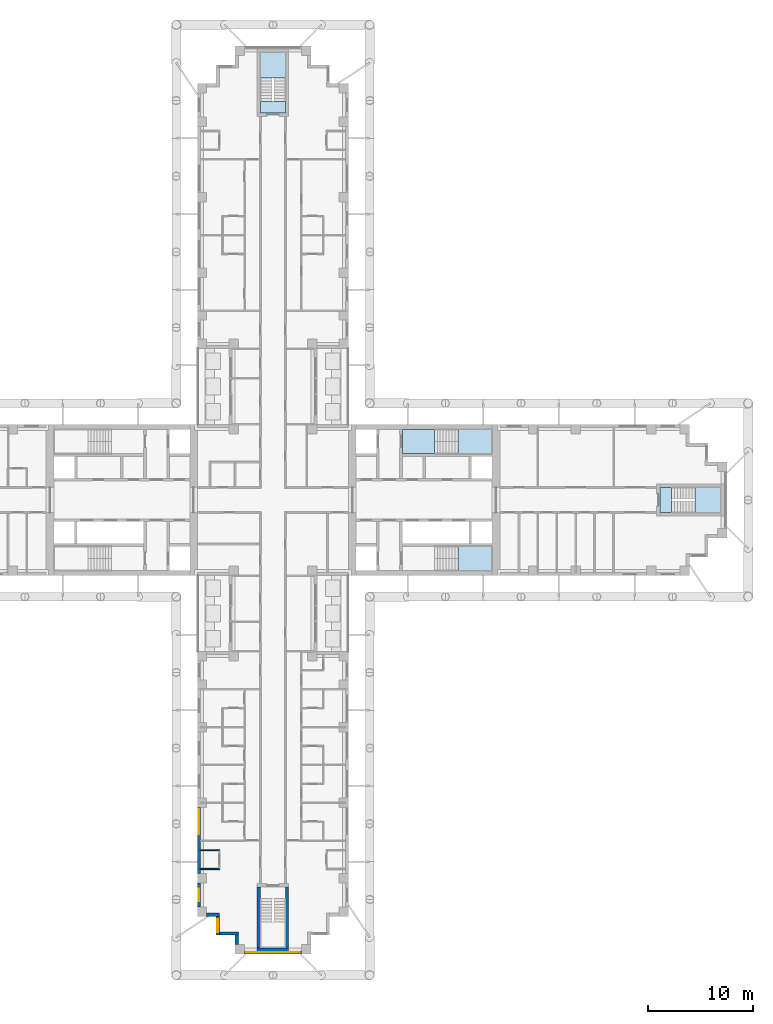
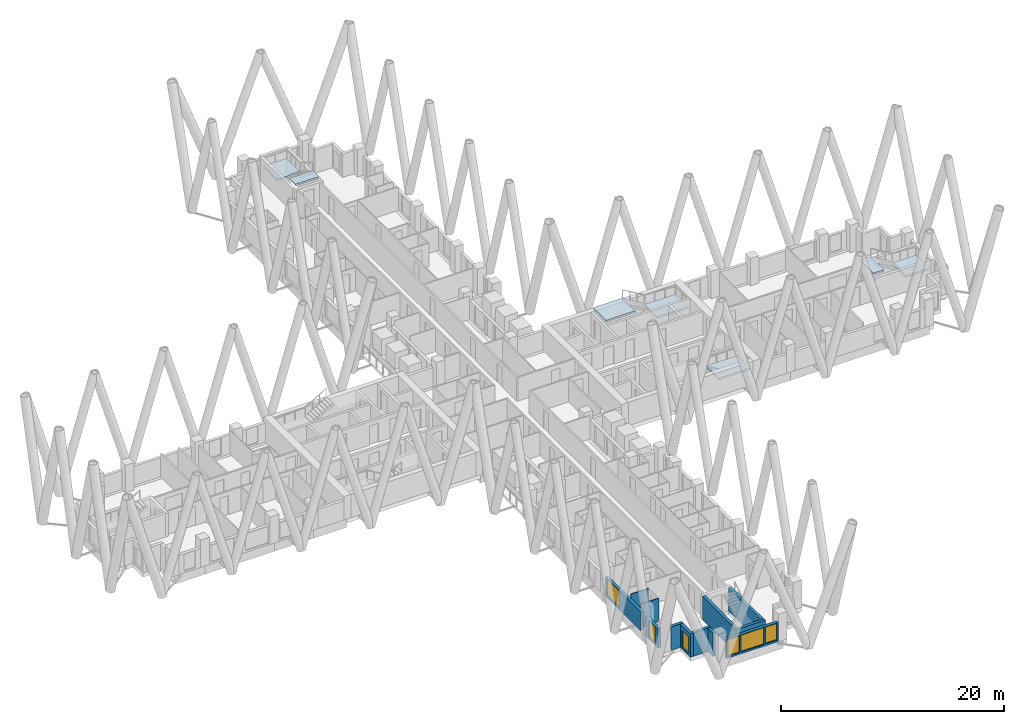
# One storey, part 3 of 16: 12 walls, 7 slabs, 6 windows, 6 openings, 4 elements without a shape of their own.
"""IFC4 building model written with IfcOpenShell, lengths in metres."""

from ifc_helpers import new_model, si_unit, direction, frame, frame_2d, origin, place, context, subcontext, project, spatial, polyline, rectangle, outline, extrude, material, layer, layer_set, type_object, element, fill, aggregate, save


model = new_model("IFC4")

# Units and contexts
model_context = context("Model", 3, precision=1e-05, world=origin(), true_north=direction((0.0, 1.0)))
body_context = subcontext(model_context, "Body", "Model", "MODEL_VIEW")
ifc_project = project(units=[si_unit("LENGTHUNIT", "METRE"), si_unit("AREAUNIT", "SQUARE_METRE"), si_unit("VOLUMEUNIT", "CUBIC_METRE"), si_unit("PLANEANGLEUNIT", "RADIAN"), si_unit("MASSUNIT", "GRAM", prefix="KILO")], contexts=[model_context])

# Site, building, storey
site_placement = place(None, origin())
site = spatial("IfcSite", under=ifc_project, at=site_placement, CompositionType="ELEMENT")
building_placement = place(site_placement, origin())
building = spatial("IfcBuilding", under=site, at=building_placement, Name="Fustian Cross Tower", CompositionType="ELEMENT")
storey_placement = place(building_placement, frame((0.0, 0.0, 20.699951171875)))
storey = spatial("IfcBuildingStorey", under=building, at=storey_placement, Name="L05", CompositionType="ELEMENT", Elevation=20.699951171875)

# Stair, slabs
ifc_material_1 = material(Name="Concrete C50/60", Category="concrete")
stair_type_1 = type_object("IfcStairType", Name="STAIR 1150 HALF TURN", PredefinedType="HALF_TURN_STAIR", material=ifc_material_1)
stair_1_placement = place(storey_placement, origin())
stair_1 = element("IfcStair", 1, at=stair_1_placement, inside=storey, type_object=stair_type_1, Name="Stair ST1", PredefinedType="HALF_TURN_STAIR")
ifc_material_2 = material(Name="Concrete C50/60", Category="concrete")
ifc_layer_1 = layer(ifc_material_2, 0.199951171875)
ifc_layer_set_1 = layer_set([ifc_layer_1], Name="Concrete C50/60")
slab_type = type_object("IfcSlabType", Name="STAIR LANDING", PredefinedType="LANDING", material=ifc_layer_set_1)
slab_1_placement = place(storey_placement, frame((0.0, 0.0, 1.300048828125)))
slab_1 = element("IfcSlab", 2, at=slab_1_placement, type_object=slab_type, Name="ST1 landing 1", PredefinedType="LANDING", context=body_context, shape_type="SweptSolid", body=[
    extrude(outline(polyline([(17.590087890625, 4.39990234375), (20.85009765625, 4.39990234375), (20.85009765625, 6.699951171875), (17.590087890625, 6.699951171875), (17.590087890625, 4.39990234375)])), origin(), (0.0, 0.0, 1.0), 0.199951171875),
])
slab_2_placement = place(storey_placement, frame((0.0, 0.0, 2.800048828125)))
slab_2 = element("IfcSlab", 3, at=slab_2_placement, type_object=slab_type, Name="ST1 landing 2", PredefinedType="LANDING", context=body_context, shape_type="SweptSolid", body=[
    extrude(outline(polyline([(12.300048828125, 4.39990234375), (15.35009765625, 4.39990234375), (15.35009765625, 6.699951171875), (12.300048828125, 6.699951171875), (12.300048828125, 4.39990234375)])), origin(), (0.0, 0.0, 1.0), 0.199951171875),
])
aggregate(stair_1, [slab_1, slab_2])

# Stair, slab
stair_2_placement = place(storey_placement, origin())
stair_2 = element("IfcStair", 4, at=stair_2_placement, inside=storey, type_object=stair_type_1, Name="Stair ST2", PredefinedType="HALF_TURN_STAIR")
slab_3_placement = place(storey_placement, frame((0.0, 0.0, 1.300048828125)))
slab_3 = element("IfcSlab", 5, at=slab_3_placement, type_object=slab_type, Name="ST2 landing 1", PredefinedType="LANDING", context=body_context, shape_type="SweptSolid", body=[
    extrude(outline(polyline([(17.590087890625, -4.39990234375), (20.85009765625, -4.39990234375), (20.85009765625, -6.699951171875), (17.590087890625, -6.699951171875), (17.590087890625, -4.39990234375)])), origin(), (0.0, 0.0, 1.0), 0.199951171875),
])
aggregate(stair_2, [slab_3])

# Stair, slabs
ifc_material_3 = material(Name="Concrete C50/60", Category="concrete")
stair_type_2 = type_object("IfcStairType", Name="STAIR 1100 HALF TURN", PredefinedType="HALF_TURN_STAIR", material=ifc_material_3)
stair_3_placement = place(storey_placement, origin())
stair_3 = element("IfcStair", 6, at=stair_3_placement, inside=storey, type_object=stair_type_2, Name="Stair ST5", PredefinedType="HALF_TURN_STAIR")
slab_4_placement = place(storey_placement, frame((0.0, 0.0, 1.300048828125)))
slab_4 = element("IfcSlab", 7, at=slab_4_placement, type_object=slab_type, Name="ST5 landing 1", PredefinedType="LANDING", context=body_context, shape_type="SweptSolid", body=[
    extrude(outline(polyline([(-1.199951171875, 40.139892578125), (-1.199951171875, 42.60009765625), (1.199951171875, 42.60009765625), (1.199951171875, 40.139892578125), (-1.199951171875, 40.139892578125)])), origin(), (0.0, 0.0, 1.0), 0.199951171875),
])
slab_5_placement = place(storey_placement, frame((0.0, 0.0, 2.800048828125)))
slab_5 = element("IfcSlab", 8, at=slab_5_placement, type_object=slab_type, Name="ST5 landing 2", PredefinedType="LANDING", context=body_context, shape_type="SweptSolid", body=[
    extrude(outline(polyline([(-1.199951171875, 36.800048828125), (-1.199951171875, 37.89990234375), (1.199951171875, 37.89990234375), (1.199951171875, 36.800048828125), (-1.199951171875, 36.800048828125)])), origin(), (0.0, 0.0, 1.0), 0.199951171875),
])
aggregate(stair_3, [slab_4, slab_5])

stair_4_placement = place(storey_placement, origin())
stair_4 = element("IfcStair", 9, at=stair_4_placement, inside=storey, type_object=stair_type_2, Name="Stair ST8", PredefinedType="HALF_TURN_STAIR")
slab_6_placement = place(storey_placement, frame((0.0, 0.0, 1.300048828125)))
slab_6 = element("IfcSlab", 10, at=slab_6_placement, type_object=slab_type, Name="ST8 landing 1", PredefinedType="LANDING", context=body_context, shape_type="SweptSolid", body=[
    extrude(outline(polyline([(40.139892578125, -1.199951171875), (42.60009765625, -1.199951171875), (42.60009765625, 1.199951171875), (40.139892578125, 1.199951171875), (40.139892578125, -1.199951171875)])), origin(), (0.0, 0.0, 1.0), 0.199951171875),
])
slab_7_placement = place(storey_placement, frame((0.0, 0.0, 2.800048828125)))
slab_7 = element("IfcSlab", 11, at=slab_7_placement, type_object=slab_type, Name="ST8 landing 2", PredefinedType="LANDING", context=body_context, shape_type="SweptSolid", body=[
    extrude(outline(polyline([(36.800048828125, -1.199951171875), (37.89990234375, -1.199951171875), (37.89990234375, 1.199951171875), (36.800048828125, 1.199951171875), (36.800048828125, -1.199951171875)])), origin(), (0.0, 0.0, 1.0), 0.199951171875),
])
aggregate(stair_4, [slab_6, slab_7])

# Walls
ifc_material_4 = material(Name="Plasterboard on steel stud", Category="steel")
ifc_layer_2 = layer(ifc_material_4, 0.10009765625)
ifc_layer_set_2 = layer_set([ifc_layer_2], Name="Plasterboard on steel stud")
wall_type_1 = type_object("IfcWallType", Name="PARTITION 100 STUD", PredefinedType="PARTITIONING", material=ifc_layer_set_2)
for number, where, z_axis, x_axis, name in (
    (12, (-6.89990234375, -35.10009765625, 0.0), (0.0, 0.0, 1.0), (1.0, 0.0, 0.0), "Partition 17"),
    (13, (-6.89990234375, -33.300048828125, 0.0), (0.0, 0.0, 1.0), (1.0, 0.0, 0.0), "Partition 18"),
):
    element("IfcWall", number, at=place(storey_placement, frame(where, z_axis=z_axis, x_axis=x_axis)), inside=storey, type_object=wall_type_1, Name=name, PredefinedType="PARTITIONING", context=body_context, shape_type="SweptSolid", body=[
        extrude(rectangle(XDim=1.849853515625, YDim=0.10009765625, at=frame_2d((0.9248046875, 0.0))), origin(), (0.0, 0.0, 1.0), 2.574951171875),
    ])
ifc_material_5 = material(Name="Concrete C50/60", Category="concrete")
ifc_layer_3 = layer(ifc_material_5, 0.300048828125)
ifc_layer_set_3 = layer_set([ifc_layer_3], Name="Concrete C50/60")
wall_type_2 = type_object("IfcWallType", Name="STAIR ENCLOSURE WALL 300 C50/60", PredefinedType="SHEAR", material=ifc_layer_set_3)
wall_1_placement = place(storey_placement, frame((-1.5, -42.75, 0.0), z_axis=(0.0, 0.0, 1.0), x_axis=(1.0, 0.0, 0.0)))
element("IfcWall", 14, at=wall_1_placement, inside=storey, type_object=wall_type_2, Name="Stair enclosure wall", PredefinedType="SHEAR", context=body_context, shape_type="SweptSolid", body=[
    extrude(rectangle(XDim=3.0, YDim=0.300048828125, at=frame_2d((1.5, 0.0))), origin(), (0.0, 0.0, 1.0), 2.574951171875),
])
for number, where, z_axis, x_axis, name in (
    (15, (-1.35009765625, -36.800048828125, 0.0), (0.0, 0.0, 1.0), (0.0, -1.0, 0.0), "Stair enclosure wall"),
    (16, (1.35009765625, -36.800048828125, 0.0), (0.0, 0.0, 1.0), (0.0, -1.0, 0.0), "Stair enclosure wall"),
):
    element("IfcWall", number, at=place(storey_placement, frame(where, z_axis=z_axis, x_axis=x_axis)), inside=storey, type_object=wall_type_2, Name=name, PredefinedType="SHEAR", context=body_context, shape_type="SweptSolid", body=[
        extrude(rectangle(XDim=5.800048828125, YDim=0.300048828125, at=frame_2d((2.89990234375, 0.0))), origin(), (0.0, 0.0, 1.0), 2.574951171875),
    ])

# Wall, opening, window
ifc_material_6 = material(Name="Dark aluminium cladding on insulated backing wall", Category="aluminium")
ifc_layer_4 = layer(ifc_material_6, 0.300048828125)
ifc_layer_set_4 = layer_set([ifc_layer_4], Name="Dark aluminium cladding on insulated backing wall")
wall_type_3 = type_object("IfcWallType", Name="XW1 EXTERNAL WALL 300", PredefinedType="SOLIDWALL", material=ifc_layer_set_4)
wall_2_placement = place(storey_placement, frame((-7.050048828125, -29.25, 0.0), z_axis=(0.0, 0.0, 1.0), x_axis=(0.0, -1.0, 0.0)))
wall_2 = element("IfcWall", 17, at=wall_2_placement, inside=storey, type_object=wall_type_3, Name="External wall", PredefinedType="SOLIDWALL", context=body_context, shape_type="SweptSolid", body=[
    extrude(rectangle(XDim=6.300048828125, YDim=0.300048828125, at=frame_2d((3.14990234375, 0.0))), origin(), (0.0, 0.0, 1.0), 2.10009765625),
])
opening_1_placement = place(wall_2_placement, frame((0.14990234375, 0.0, 0.199951171875)))
opening_1 = element("IfcOpeningElement", 18, at=opening_1_placement, cuts=wall_2, Name="Opening WN1", PredefinedType="OPENING", context=body_context, shape_type="SweptSolid", body=[
    extrude(rectangle(XDim=2.39990234375, YDim=1.85009765625, at=frame_2d((1.199951171875, 0.925048828125))), frame((0.0, 0.159912109375, 0.0), z_axis=(0.0, -1.0, 0.0), x_axis=(1.0, 0.0, 0.0)), (0.0, 0.0, 1.0), 0.320068359375),
])
ifc_material_7 = material(Name="Dark anodised aluminium and double glazing", Category="aluminium")
window_type_1 = type_object("IfcWindowType", Name="WN1 WINDOW 2400X1850", PartitioningType="SINGLE_PANEL", PredefinedType="WINDOW", material=ifc_material_7)
window_1_placement = place(opening_1_placement, origin())
window_1 = element("IfcWindow", 19, at=window_1_placement, inside=storey, type_object=window_type_1, Name="Window", OverallHeight=1.85009765625, OverallWidth=2.39990234375, PartitioningType="SINGLE_PANEL", PredefinedType="WINDOW", context=body_context, shape_type="SweptSolid", body=[
    extrude(rectangle(XDim=2.39990234375, YDim=1.85009765625, at=frame_2d((1.199951171875, 0.925048828125))), frame((0.0, 0.030029296875, 0.0), z_axis=(0.0, -1.0, 0.0), x_axis=(1.0, 0.0, 0.0)), (0.0, 0.0, 1.0), 0.06005859375),
])
fill(opening_1, window_1)

wall_3_placement = place(storey_placement, frame((-7.050048828125, -36.449951171875, 0.0), z_axis=(0.0, 0.0, 1.0), x_axis=(0.0, -1.0, 0.0)))
wall_3 = element("IfcWall", 20, at=wall_3_placement, inside=storey, type_object=wall_type_3, Name="External wall", PredefinedType="SOLIDWALL", context=body_context, shape_type="SweptSolid", body=[
    extrude(rectangle(XDim=2.25, YDim=0.300048828125, at=frame_2d((1.125, 0.0))), origin(), (0.0, 0.0, 1.0), 2.10009765625),
])
opening_2_placement = place(wall_3_placement, frame((0.52490234375, 0.0, 0.199951171875)))
opening_2 = element("IfcOpeningElement", 21, at=opening_2_placement, cuts=wall_3, Name="Opening WN3", PredefinedType="OPENING", context=body_context, shape_type="SweptSolid", body=[
    extrude(rectangle(XDim=1.199951171875, YDim=1.85009765625, at=frame_2d((0.60009765625, 0.925048828125))), frame((0.0, 0.159912109375, 0.0), z_axis=(0.0, -1.0, 0.0), x_axis=(1.0, 0.0, 0.0)), (0.0, 0.0, 1.0), 0.320068359375),
])
ifc_material_8 = material(Name="Dark anodised aluminium and double glazing", Category="aluminium")
window_type_2 = type_object("IfcWindowType", Name="WN3 WINDOW 1200X1850", PartitioningType="SINGLE_PANEL", PredefinedType="WINDOW", material=ifc_material_8)
window_2_placement = place(opening_2_placement, origin())
window_2 = element("IfcWindow", 22, at=window_2_placement, inside=storey, type_object=window_type_2, Name="Window", OverallHeight=1.85009765625, OverallWidth=1.199951171875, PartitioningType="SINGLE_PANEL", PredefinedType="WINDOW", context=body_context, shape_type="SweptSolid", body=[
    extrude(rectangle(XDim=1.199951171875, YDim=1.85009765625, at=frame_2d((0.60009765625, 0.925048828125))), frame((0.0, 0.030029296875, 0.0), z_axis=(0.0, -1.0, 0.0), x_axis=(1.0, 0.0, 0.0)), (0.0, 0.0, 1.0), 0.06005859375),
])
fill(opening_2, window_2)

# Wall
wall_4_placement = place(storey_placement, frame((-6.300048828125, -39.449951171875, 0.0), z_axis=(0.0, 0.0, 1.0), x_axis=(1.0, 0.0, 0.0)))
element("IfcWall", 23, at=wall_4_placement, inside=storey, type_object=wall_type_3, Name="External wall", PredefinedType="SOLIDWALL", context=body_context, shape_type="SweptSolid", body=[
    extrude(rectangle(XDim=1.199951171875, YDim=0.300048828125, at=frame_2d((0.60009765625, 0.0))), origin(), (0.0, 0.0, 1.0), 2.574951171875),
])

# Wall, opening, window
wall_5_placement = place(storey_placement, frame((-5.25, -39.60009765625, 0.0), z_axis=(0.0, 0.0, 1.0), x_axis=(0.0, -1.0, 0.0)))
wall_5 = element("IfcWall", 24, at=wall_5_placement, inside=storey, type_object=wall_type_3, Name="External wall", PredefinedType="SOLIDWALL", context=body_context, shape_type="SweptSolid", body=[
    extrude(rectangle(XDim=1.7998046875, YDim=0.300048828125, at=frame_2d((0.89990234375, 0.0))), origin(), (0.0, 0.0, 1.0), 2.574951171875),
])
opening_3_placement = place(wall_5_placement, frame((0.300048828125, 0.0, 0.199951171875)))
opening_3 = element("IfcOpeningElement", 25, at=opening_3_placement, cuts=wall_5, Name="Opening WN3", PredefinedType="OPENING", context=body_context, shape_type="SweptSolid", body=[
    extrude(rectangle(XDim=1.199951171875, YDim=1.85009765625, at=frame_2d((0.60009765625, 0.925048828125))), frame((0.0, 0.159912109375, 0.0), z_axis=(0.0, -1.0, 0.0), x_axis=(1.0, 0.0, 0.0)), (0.0, 0.0, 1.0), 0.320068359375),
])
window_3_placement = place(opening_3_placement, origin())
window_3 = element("IfcWindow", 26, at=window_3_placement, inside=storey, type_object=window_type_2, Name="Window", OverallHeight=1.85009765625, OverallWidth=1.199951171875, PartitioningType="SINGLE_PANEL", PredefinedType="WINDOW", context=body_context, shape_type="SweptSolid", body=[
    extrude(rectangle(XDim=1.199951171875, YDim=1.85009765625, at=frame_2d((0.60009765625, 0.925048828125))), frame((0.0, 0.030029296875, 0.0), z_axis=(0.0, -1.0, 0.0), x_axis=(1.0, 0.0, 0.0)), (0.0, 0.0, 1.0), 0.06005859375),
])
fill(opening_3, window_3)

# Walls
wall_6_placement = place(storey_placement, frame((-5.10009765625, -41.25, 0.0), z_axis=(0.0, 0.0, 1.0), x_axis=(1.0, 0.0, 0.0)))
element("IfcWall", 27, at=wall_6_placement, inside=storey, type_object=wall_type_3, Name="External wall", PredefinedType="SOLIDWALL", context=body_context, shape_type="SweptSolid", body=[
    extrude(rectangle(XDim=1.800048828125, YDim=0.300048828125, at=frame_2d((0.89990234375, 0.0))), origin(), (0.0, 0.0, 1.0), 2.574951171875),
])
wall_7_placement = place(storey_placement, frame((-3.449951171875, -41.39990234375, 0.0), z_axis=(0.0, 0.0, 1.0), x_axis=(0.0, -1.0, 0.0)))
element("IfcWall", 28, at=wall_7_placement, inside=storey, type_object=wall_type_3, Name="External wall", PredefinedType="SOLIDWALL", context=body_context, shape_type="SweptSolid", body=[
    extrude(rectangle(XDim=0.900146484375, YDim=0.300048828125, at=frame_2d((0.4501953125, 0.0))), origin(), (0.0, 0.0, 1.0), 2.574951171875),
])

# Wall, openings, windows
wall_8_placement = place(storey_placement, frame((-2.699951171875, -43.050048828125, 0.0), z_axis=(0.0, 0.0, 1.0), x_axis=(1.0, 0.0, 0.0)))
wall_8 = element("IfcWall", 29, at=wall_8_placement, inside=storey, type_object=wall_type_3, Name="External wall", PredefinedType="SOLIDWALL", context=body_context, shape_type="SweptSolid", body=[
    extrude(rectangle(XDim=5.39990234375, YDim=0.300048828125, at=frame_2d((2.699951171875, 0.0))), origin(), (0.0, 0.0, 1.0), 2.10009765625),
])
opening_4_placement = place(wall_8_placement, frame((1.5, 0.0, 0.199951171875)))
opening_4 = element("IfcOpeningElement", 30, at=opening_4_placement, cuts=wall_8, Name="Opening WN1", PredefinedType="OPENING", context=body_context, shape_type="SweptSolid", body=[
    extrude(rectangle(XDim=2.39990234375, YDim=1.85009765625, at=frame_2d((1.199951171875, 0.925048828125))), frame((0.0, 0.159912109375, 0.0), z_axis=(0.0, -1.0, 0.0), x_axis=(1.0, 0.0, 0.0)), (0.0, 0.0, 1.0), 0.320068359375),
])
opening_5_placement = place(wall_8_placement, frame((0.14990234375, 0.0, 0.199951171875)))
opening_5 = element("IfcOpeningElement", 31, at=opening_5_placement, cuts=wall_8, Name="Opening WN3", PredefinedType="OPENING", context=body_context, shape_type="SweptSolid", body=[
    extrude(rectangle(XDim=1.199951171875, YDim=1.85009765625, at=frame_2d((0.60009765625, 0.925048828125))), frame((0.0, 0.159912109375, 0.0), z_axis=(0.0, -1.0, 0.0), x_axis=(1.0, 0.0, 0.0)), (0.0, 0.0, 1.0), 0.320068359375),
])
opening_6_placement = place(wall_8_placement, frame((4.050048828125, 0.0, 0.199951171875)))
opening_6 = element("IfcOpeningElement", 32, at=opening_6_placement, cuts=wall_8, Name="Opening WN3", PredefinedType="OPENING", context=body_context, shape_type="SweptSolid", body=[
    extrude(rectangle(XDim=1.199951171875, YDim=1.85009765625, at=frame_2d((0.60009765625, 0.925048828125))), frame((0.0, 0.159912109375, 0.0), z_axis=(0.0, -1.0, 0.0), x_axis=(1.0, 0.0, 0.0)), (0.0, 0.0, 1.0), 0.320068359375),
])
window_4_placement = place(opening_4_placement, origin())
window_4 = element("IfcWindow", 33, at=window_4_placement, inside=storey, type_object=window_type_1, Name="Window", OverallHeight=1.85009765625, OverallWidth=2.39990234375, PartitioningType="SINGLE_PANEL", PredefinedType="WINDOW", context=body_context, shape_type="SweptSolid", body=[
    extrude(rectangle(XDim=2.39990234375, YDim=1.85009765625, at=frame_2d((1.199951171875, 0.925048828125))), frame((0.0, 0.030029296875, 0.0), z_axis=(0.0, -1.0, 0.0), x_axis=(1.0, 0.0, 0.0)), (0.0, 0.0, 1.0), 0.06005859375),
])
fill(opening_4, window_4)
window_5_placement = place(opening_5_placement, origin())
window_5 = element("IfcWindow", 34, at=window_5_placement, inside=storey, type_object=window_type_2, Name="Window", OverallHeight=1.85009765625, OverallWidth=1.199951171875, PartitioningType="SINGLE_PANEL", PredefinedType="WINDOW", context=body_context, shape_type="SweptSolid", body=[
    extrude(rectangle(XDim=1.199951171875, YDim=1.85009765625, at=frame_2d((0.60009765625, 0.925048828125))), frame((0.0, 0.030029296875, 0.0), z_axis=(0.0, -1.0, 0.0), x_axis=(1.0, 0.0, 0.0)), (0.0, 0.0, 1.0), 0.06005859375),
])
fill(opening_5, window_5)
window_6_placement = place(opening_6_placement, origin())
window_6 = element("IfcWindow", 35, at=window_6_placement, inside=storey, type_object=window_type_2, Name="Window", OverallHeight=1.85009765625, OverallWidth=1.199951171875, PartitioningType="SINGLE_PANEL", PredefinedType="WINDOW", context=body_context, shape_type="SweptSolid", body=[
    extrude(rectangle(XDim=1.199951171875, YDim=1.85009765625, at=frame_2d((0.60009765625, 0.925048828125))), frame((0.0, 0.030029296875, 0.0), z_axis=(0.0, -1.0, 0.0), x_axis=(1.0, 0.0, 0.0)), (0.0, 0.0, 1.0), 0.06005859375),
])
fill(opening_6, window_6)

save(model, "model.ifc")
